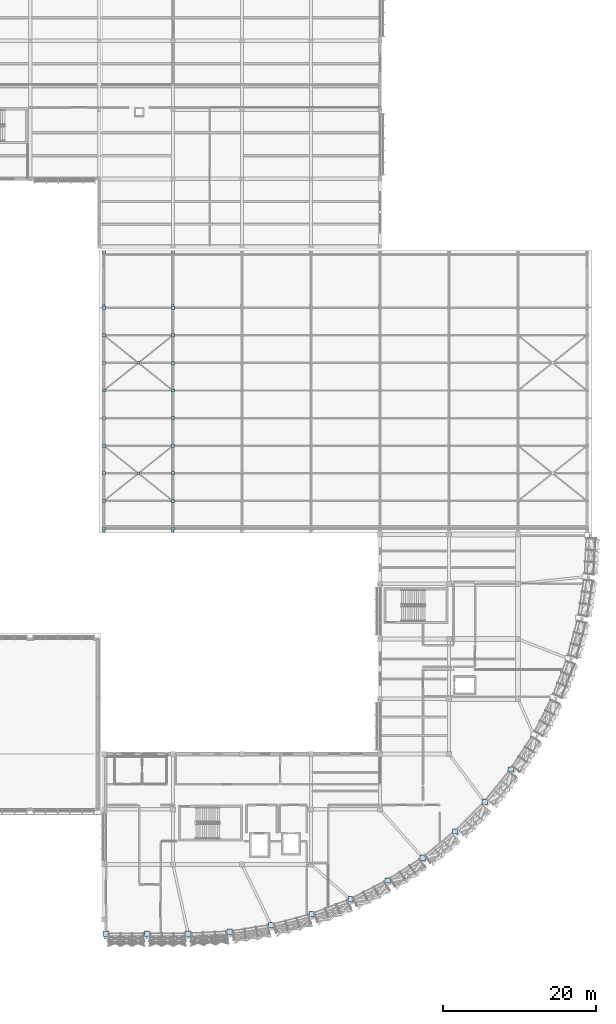
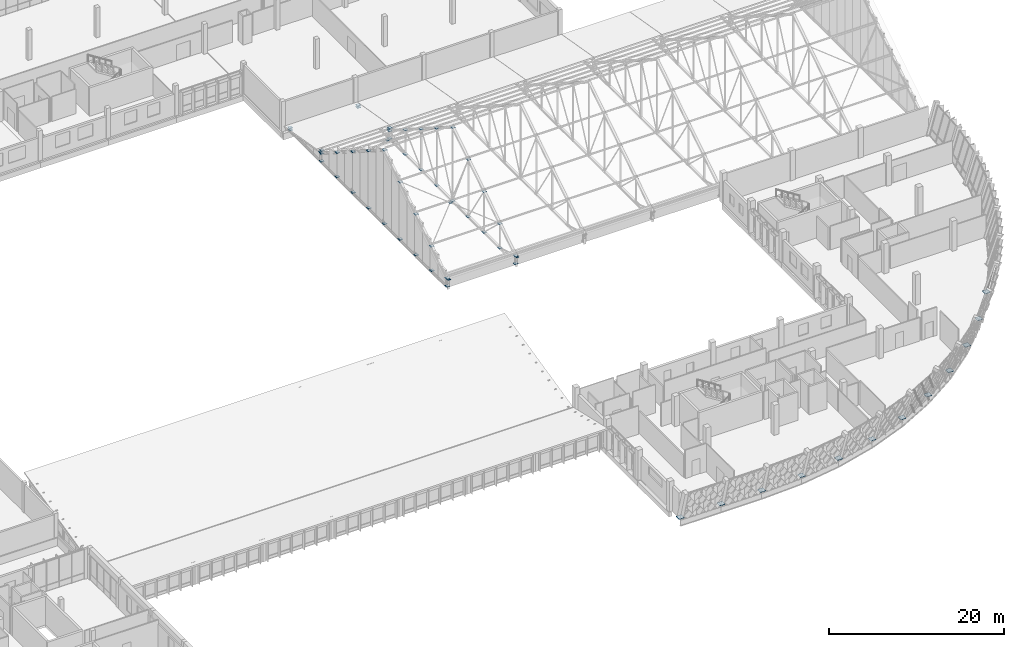
# One storey, part 158 of 182: 60 plates.
"""IFC4 building model written with IfcOpenShell, lengths in metres."""

from ifc_helpers import new_model, si_unit, direction, frame, origin, origin_2d, place, context, subcontext, project, spatial, rectangle, extrude, material, layer, layer_set, type_object, element, save


model = new_model("IFC4")

# Units and contexts
model_context = context("Model", 3, precision=1e-05, world=origin(), true_north=direction((0.0, 1.0)))
body_context = subcontext(model_context, "Body", "Model", "MODEL_VIEW")
ifc_project = project(units=[si_unit("LENGTHUNIT", "METRE"), si_unit("AREAUNIT", "SQUARE_METRE"), si_unit("VOLUMEUNIT", "CUBIC_METRE"), si_unit("PLANEANGLEUNIT", "RADIAN"), si_unit("MASSUNIT", "GRAM", prefix="KILO")], contexts=[model_context])

# Site, building, storey
site_placement = place(None, origin())
site = spatial("IfcSite", under=ifc_project, at=site_placement, CompositionType="ELEMENT")
building_placement = place(site_placement, origin())
building = spatial("IfcBuilding", under=site, at=building_placement, Name="Chiffa Square Polytechnic", CompositionType="ELEMENT")
storey_placement = place(building_placement, frame((0.0, 0.0, 9.60009765625)))
storey = spatial("IfcBuildingStorey", under=building, at=storey_placement, Name="L02", CompositionType="ELEMENT", Elevation=9.60009765625)

# Plates
ifc_material = material(Name="Steel S355", Category="steel")
ifc_layer_1 = layer(ifc_material, 0.028076171875, Name="Steel S355")
ifc_layer_set_1 = layer_set([ifc_layer_1], Name="Steel S355")
plate_type_1 = type_object("IfcPlateType", Name="PLT-GUSSET-28", PredefinedType="USERDEFINED", material=ifc_layer_set_1)
for number, where, z_axis, x_axis, name in (
    (1, (116.699951171875, 65.39990234375, 6.03564453125), (0.0, 0.0, 1.0), (1.0, 0.0, 0.0), "Steel connection gusset plate GP-L02-214"),
    (2, (116.699951171875, 79.800048828125, 6.03564453125), (0.0, 0.0, 1.0), (1.0, 0.0, 0.0), "Steel connection gusset plate GP-L02-215"),
    (3, (112.199951171875, 57.89990234375, 1.43603515625), (0.0, 0.0, 1.0), (1.0, 0.0, 0.0), "Steel connection gusset plate GP-L02-234"),
    (4, (112.199951171875, 87.300048828125, 1.43603515625), (0.0, 0.0, 1.0), (1.0, 0.0, 0.0), "Steel connection gusset plate GP-L02-235"),
    (5, (121.199951171875, 57.89990234375, 1.43603515625), (0.0, 0.0, 1.0), (1.0, 0.0, 0.0), "Steel connection gusset plate GP-L02-236"),
    (6, (121.199951171875, 87.300048828125, 1.43603515625), (0.0, 0.0, 1.0), (1.0, 0.0, 0.0), "Steel connection gusset plate GP-L02-237"),
):
    element("IfcPlate", number, at=place(storey_placement, frame(where, z_axis=z_axis, x_axis=x_axis)), inside=storey, type_object=plate_type_1, Name=name, ObjectType="GUSSET PLATE", PredefinedType="USERDEFINED", context=body_context, shape_type="SweptSolid", body=[
        extrude(rectangle(XDim=0.320068359375, YDim=0.320068359375, at=origin_2d()), origin(), (0.0, 0.0, 1.0), 0.028076171875),
    ])
ifc_layer_2 = layer(ifc_material, 0.0380859375, Name="Steel S355")
ifc_layer_set_2 = layer_set([ifc_layer_2], Name="Steel S355")
plate_type_2 = type_object("IfcPlateType", Name="PLT-GUSSET-38", PredefinedType="USERDEFINED", material=ifc_layer_set_2)
for number, where, z_axis, x_axis, name in (
    (7, (112.199951171875, 58.199951171875, 0.330810546875), (0.0, 0.0, 1.0), (1.0, 0.0, 0.0), "Steel connection gusset plate GP-L02-046"),
    (8, (112.199951171875, 58.199951171875, 1.430908203125), (0.0, 0.0, 1.0), (1.0, 0.0, 0.0), "Steel connection gusset plate GP-L02-047"),
    (9, (112.199951171875, 61.800048828125, 0.330810546875), (0.0, 0.0, 1.0), (1.0, 0.0, 0.0), "Steel connection gusset plate GP-L02-048"),
    (10, (112.199951171875, 61.800048828125, 3.73095703125), (0.0, 0.0, 1.0), (1.0, 0.0, 0.0), "Steel connection gusset plate GP-L02-049"),
    (11, (112.199951171875, 65.39990234375, 0.330810546875), (0.0, 0.0, 1.0), (1.0, 0.0, 0.0), "Steel connection gusset plate GP-L02-050"),
    (12, (112.199951171875, 65.39990234375, 6.03076171875), (0.0, 0.0, 1.0), (1.0, 0.0, 0.0), "Steel connection gusset plate GP-L02-051"),
    (13, (112.199951171875, 69.0, 0.330810546875), (0.0, 0.0, 1.0), (1.0, 0.0, 0.0), "Steel connection gusset plate GP-L02-052"),
    (14, (112.199951171875, 69.0, 8.330810546875), (0.0, 0.0, 1.0), (1.0, 0.0, 0.0), "Steel connection gusset plate GP-L02-053"),
    (15, (112.199951171875, 72.60009765625, 0.330810546875), (0.0, 0.0, 1.0), (1.0, 0.0, 0.0), "Steel connection gusset plate GP-L02-054"),
    (16, (112.199951171875, 72.60009765625, 10.630859375), (0.0, 0.0, 1.0), (1.0, 0.0, 0.0), "Steel connection gusset plate GP-L02-055"),
    (17, (112.199951171875, 76.199951171875, 0.330810546875), (0.0, 0.0, 1.0), (1.0, 0.0, 0.0), "Steel connection gusset plate GP-L02-056"),
    (18, (112.199951171875, 76.199951171875, 8.330810546875), (0.0, 0.0, 1.0), (1.0, 0.0, 0.0), "Steel connection gusset plate GP-L02-057"),
    (19, (112.199951171875, 79.800048828125, 0.330810546875), (0.0, 0.0, 1.0), (1.0, 0.0, 0.0), "Steel connection gusset plate GP-L02-058"),
    (20, (112.199951171875, 79.800048828125, 6.03076171875), (0.0, 0.0, 1.0), (1.0, 0.0, 0.0), "Steel connection gusset plate GP-L02-059"),
    (21, (112.199951171875, 83.39990234375, 0.330810546875), (0.0, 0.0, 1.0), (1.0, 0.0, 0.0), "Steel connection gusset plate GP-L02-060"),
    (22, (112.199951171875, 83.39990234375, 3.73095703125), (0.0, 0.0, 1.0), (1.0, 0.0, 0.0), "Steel connection gusset plate GP-L02-061"),
    (23, (112.199951171875, 87.0, 0.330810546875), (0.0, 0.0, 1.0), (1.0, 0.0, 0.0), "Steel connection gusset plate GP-L02-062"),
    (24, (112.199951171875, 87.0, 1.430908203125), (0.0, 0.0, 1.0), (1.0, 0.0, 0.0), "Steel connection gusset plate GP-L02-063"),
    (25, (112.199951171875, 87.0, 1.830810546875), (0.0, 0.0, 1.0), (1.0, 0.0, 0.0), "Steel connection gusset plate GP-L02-064"),
    (26, (112.199951171875, 94.199951171875, 0.330810546875), (0.0, 0.0, 1.0), (1.0, 0.0, 0.0), "Steel connection gusset plate GP-L02-065"),
    (27, (112.199951171875, 94.199951171875, 0.630859375), (0.0, 0.0, 1.0), (1.0, 0.0, 0.0), "Steel connection gusset plate GP-L02-066"),
    (28, (121.199951171875, 58.199951171875, 0.330810546875), (0.0, 0.0, 1.0), (1.0, 0.0, 0.0), "Steel connection gusset plate GP-L02-067"),
    (29, (121.199951171875, 58.199951171875, 1.430908203125), (0.0, 0.0, 1.0), (1.0, 0.0, 0.0), "Steel connection gusset plate GP-L02-068"),
    (30, (121.199951171875, 61.800048828125, 0.330810546875), (0.0, 0.0, 1.0), (1.0, 0.0, 0.0), "Steel connection gusset plate GP-L02-069"),
    (31, (121.199951171875, 61.800048828125, 3.73095703125), (0.0, 0.0, 1.0), (1.0, 0.0, 0.0), "Steel connection gusset plate GP-L02-070"),
    (32, (121.199951171875, 65.39990234375, 0.330810546875), (0.0, 0.0, 1.0), (1.0, 0.0, 0.0), "Steel connection gusset plate GP-L02-071"),
    (33, (121.199951171875, 65.39990234375, 6.03076171875), (0.0, 0.0, 1.0), (1.0, 0.0, 0.0), "Steel connection gusset plate GP-L02-072"),
    (34, (121.199951171875, 69.0, 0.330810546875), (0.0, 0.0, 1.0), (1.0, 0.0, 0.0), "Steel connection gusset plate GP-L02-073"),
    (35, (121.199951171875, 69.0, 8.330810546875), (0.0, 0.0, 1.0), (1.0, 0.0, 0.0), "Steel connection gusset plate GP-L02-074"),
    (36, (121.199951171875, 72.60009765625, 0.330810546875), (0.0, 0.0, 1.0), (1.0, 0.0, 0.0), "Steel connection gusset plate GP-L02-075"),
    (37, (121.199951171875, 72.60009765625, 10.630859375), (0.0, 0.0, 1.0), (1.0, 0.0, 0.0), "Steel connection gusset plate GP-L02-076"),
    (38, (121.199951171875, 76.199951171875, 0.330810546875), (0.0, 0.0, 1.0), (1.0, 0.0, 0.0), "Steel connection gusset plate GP-L02-077"),
    (39, (121.199951171875, 76.199951171875, 8.330810546875), (0.0, 0.0, 1.0), (1.0, 0.0, 0.0), "Steel connection gusset plate GP-L02-078"),
    (40, (121.199951171875, 79.800048828125, 0.330810546875), (0.0, 0.0, 1.0), (1.0, 0.0, 0.0), "Steel connection gusset plate GP-L02-079"),
    (41, (121.199951171875, 79.800048828125, 6.03076171875), (0.0, 0.0, 1.0), (1.0, 0.0, 0.0), "Steel connection gusset plate GP-L02-080"),
    (42, (121.199951171875, 83.39990234375, 0.330810546875), (0.0, 0.0, 1.0), (1.0, 0.0, 0.0), "Steel connection gusset plate GP-L02-081"),
    (43, (121.199951171875, 83.39990234375, 3.73095703125), (0.0, 0.0, 1.0), (1.0, 0.0, 0.0), "Steel connection gusset plate GP-L02-082"),
    (44, (121.199951171875, 87.0, 0.330810546875), (0.0, 0.0, 1.0), (1.0, 0.0, 0.0), "Steel connection gusset plate GP-L02-083"),
    (45, (121.199951171875, 87.0, 1.430908203125), (0.0, 0.0, 1.0), (1.0, 0.0, 0.0), "Steel connection gusset plate GP-L02-084"),
    (46, (121.199951171875, 87.0, 1.830810546875), (0.0, 0.0, 1.0), (1.0, 0.0, 0.0), "Steel connection gusset plate GP-L02-085"),
    (47, (121.199951171875, 94.199951171875, 0.330810546875), (0.0, 0.0, 1.0), (1.0, 0.0, 0.0), "Steel connection gusset plate GP-L02-086"),
    (48, (121.199951171875, 94.199951171875, 0.630859375), (0.0, 0.0, 1.0), (1.0, 0.0, 0.0), "Steel connection gusset plate GP-L02-087"),
):
    element("IfcPlate", number, at=place(storey_placement, frame(where, z_axis=z_axis, x_axis=x_axis)), inside=storey, type_object=plate_type_2, Name=name, ObjectType="GUSSET PLATE", PredefinedType="USERDEFINED", context=body_context, shape_type="SweptSolid", body=[
        extrude(rectangle(XDim=0.419921875, YDim=0.419921875, at=origin_2d()), origin(), (0.0, 0.0, 1.0), 0.0380859375),
    ])
ifc_layer_3 = layer(ifc_material, 0.050048828125, Name="Steel S355")
ifc_layer_set_3 = layer_set([ifc_layer_3], Name="Steel S355")
plate_type_3 = type_object("IfcPlateType", Name="PLT-GUSSET-50", PredefinedType="USERDEFINED", material=ifc_layer_set_3)
for number, where, z_axis, x_axis, name in (
    (49, (112.449951171875, 5.35009765625, -0.02490234375), (0.0, 0.0, 1.0), (1.0, 0.0, 0.0), "Steel connection gusset plate GP-L02-003"),
    (50, (117.824951171875, 5.35009765625, -0.02490234375), (0.0, 0.0, 1.0), (1.0, 0.0, 0.0), "Steel connection gusset plate GP-L02-005"),
    (51, (123.199951171875, 5.35009765625, -0.02490234375), (0.0, 0.0, 1.0), (1.0, 0.0, 0.0), "Steel connection gusset plate GP-L02-008"),
    (52, (128.635009765625, 5.635009765625, -0.02490234375), (0.0, 0.0, 1.0), (1.0, 0.0, 0.0), "Steel connection gusset plate GP-L02-010"),
    (53, (134.010986328125, 6.486083984375, -0.02490234375), (0.0, 0.0, 1.0), (1.0, 0.0, 0.0), "Steel connection gusset plate GP-L02-013"),
    (54, (139.26904296875, 7.89501953125, -0.02490234375), (0.0, 0.0, 1.0), (1.0, 0.0, 0.0), "Steel connection gusset plate GP-L02-015"),
    (55, (144.35009765625, 9.845947265625, -0.02490234375), (0.0, 0.0, 1.0), (1.0, 0.0, 0.0), "Steel connection gusset plate GP-L02-018"),
    (56, (149.199951171875, 12.31689453125, -0.02490234375), (0.0, 0.0, 1.0), (1.0, 0.0, 0.0), "Steel connection gusset plate GP-L02-020"),
    (57, (153.764892578125, 15.281005859375, -0.02490234375), (0.0, 0.0, 1.0), (1.0, 0.0, 0.0), "Steel connection gusset plate GP-L02-023"),
    (58, (157.9951171875, 18.7060546875, -0.02490234375), (0.0, 0.0, 1.0), (1.0, 0.0, 0.0), "Steel connection gusset plate GP-L02-025"),
    (59, (161.843994140625, 22.554931640625, -0.02490234375), (0.0, 0.0, 1.0), (1.0, 0.0, 0.0), "Steel connection gusset plate GP-L02-028"),
    (60, (165.26904296875, 26.784912109375, -0.02490234375), (0.0, 0.0, 1.0), (1.0, 0.0, 0.0), "Steel connection gusset plate GP-L02-030"),
):
    element("IfcPlate", number, at=place(storey_placement, frame(where, z_axis=z_axis, x_axis=x_axis)), inside=storey, type_object=plate_type_3, Name=name, ObjectType="GUSSET PLATE", PredefinedType="USERDEFINED", context=body_context, shape_type="SweptSolid", body=[
        extrude(rectangle(XDim=0.699951171875, YDim=0.699951171875, at=origin_2d()), origin(), (0.0, 0.0, 1.0), 0.050048828125),
    ])

save(model, "model.ifc")
